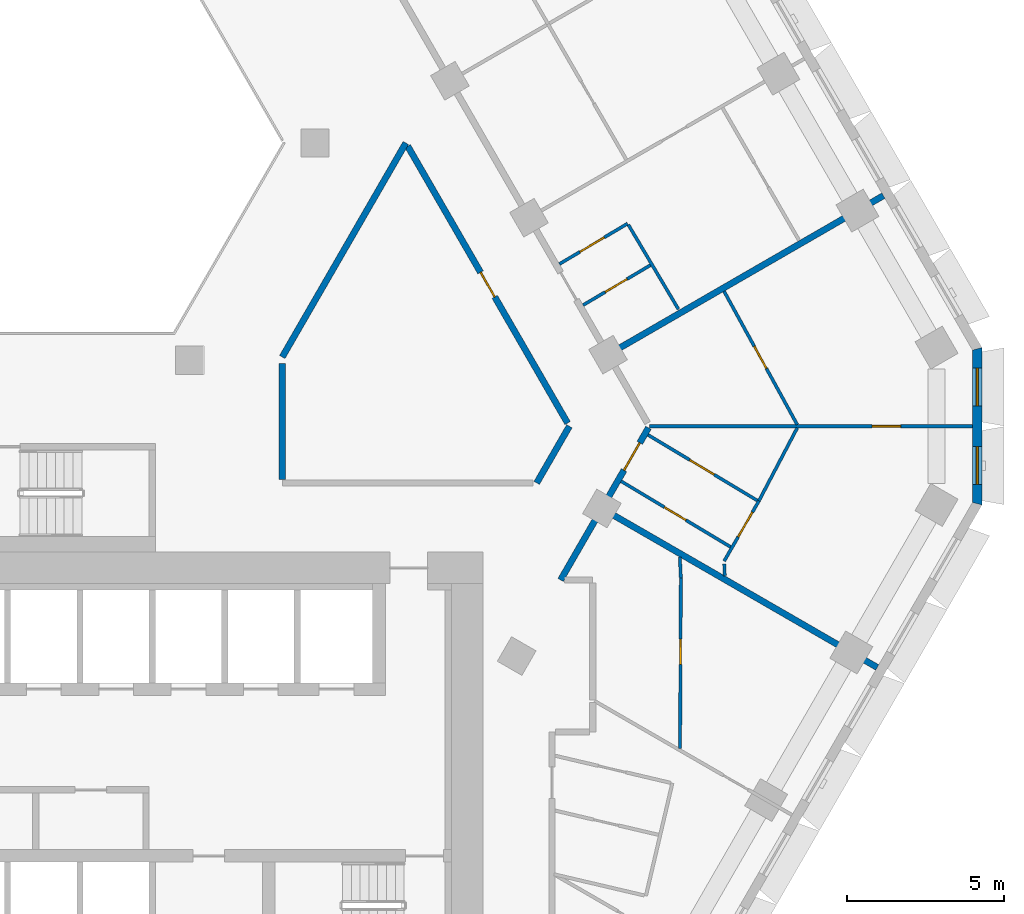
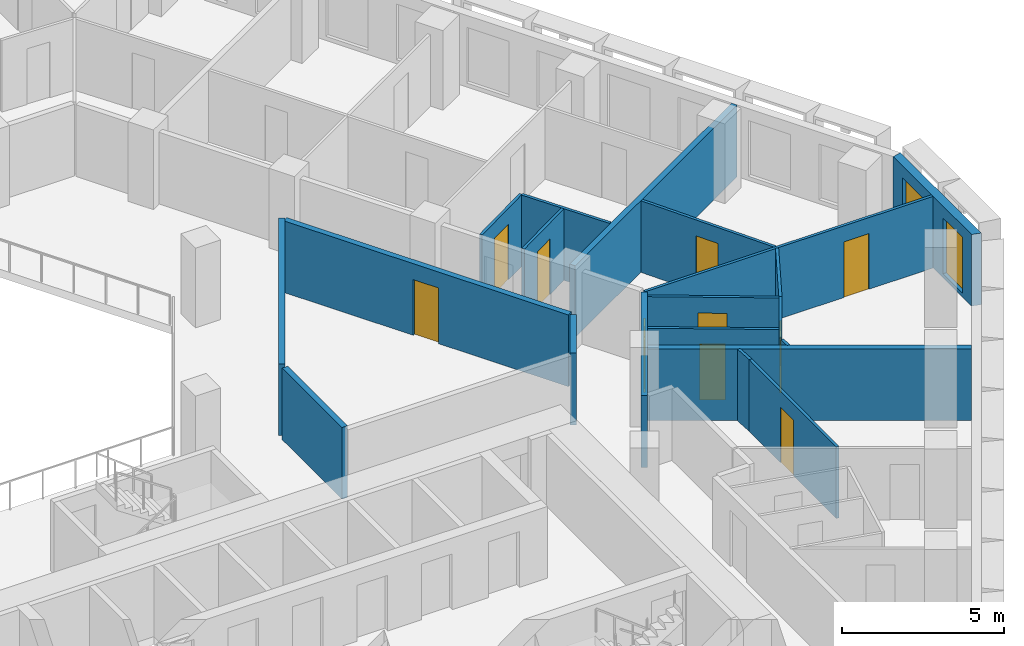
# One storey, part 7 of 18: 20 walls, 10 doors, 2 windows, 12 openings.
"""IFC4 building model written with IfcOpenShell, lengths in metres."""

from ifc_helpers import new_model, si_unit, direction, frame, frame_2d, origin, place, context, subcontext, project, spatial, polyline, rectangle, outline, extrude, material, layer, layer_set, type_object, element, fill, save


model = new_model("IFC4")

# Units and contexts
model_context = context("Model", 3, precision=1e-05, world=origin(), true_north=direction((0.0, 1.0)))
body_context = subcontext(model_context, "Body", "Model", "MODEL_VIEW")
ifc_project = project(units=[si_unit("LENGTHUNIT", "METRE"), si_unit("AREAUNIT", "SQUARE_METRE"), si_unit("VOLUMEUNIT", "CUBIC_METRE"), si_unit("PLANEANGLEUNIT", "RADIAN"), si_unit("MASSUNIT", "GRAM", prefix="KILO")], contexts=[model_context])

# Site, building, storey
site_placement = place(None, origin())
site = spatial("IfcSite", under=ifc_project, at=site_placement, CompositionType="ELEMENT")
building_placement = place(site_placement, origin())
building = spatial("IfcBuilding", under=site, at=building_placement, Name="Beryl Residences", CompositionType="ELEMENT")
storey_placement = place(building_placement, frame((0.0, 0.0, 75.0)))
storey = spatial("IfcBuildingStorey", under=building, at=storey_placement, Name="L22", CompositionType="ELEMENT", Elevation=75.0)

# Wall, openings, windows
ifc_material_1 = material(Name="Composite metal panel with mineral wool insulation")
ifc_layer_1 = layer(ifc_material_1, 0.300048828125)
ifc_layer_set_1 = layer_set([ifc_layer_1], Name="ES1 pale metal composite panel wall 300 mm")
wall_type_1 = type_object("IfcWallType", Name="ES1 pale metal composite panel wall 300 mm", PredefinedType="SOLIDWALL", material=ifc_layer_set_1)
wall_1_placement = place(storey_placement, frame((29.007080078125, -3.5, 0.0), z_axis=(0.0, 0.0, 1.0), x_axis=(0.0, 1.0, 0.0)))
wall_1 = element("IfcWall", 1, at=wall_1_placement, inside=storey, type_object=wall_type_1, Name="ES1 external wall L22 SE-NE", PredefinedType="SOLIDWALL", context=body_context, shape_type="SweptSolid", body=[
    extrude(outline(polyline([(0.0, -0.14990234375), (5.0, -0.14990234375), (4.919677734375, 0.14990234375), (0.080322265625, 0.14990234375), (0.0, -0.14990234375)])), origin(), (0.0, 0.0, 1.0), 2.699951171875),
])
opening_1_placement = place(wall_1_placement, frame((0.64990234375, 0.0, 0.14990234375)))
opening_1 = element("IfcOpeningElement", 2, at=opening_1_placement, cuts=wall_1, Name="Opening W2", PredefinedType="OPENING", context=body_context, shape_type="SweptSolid", body=[
    extrude(rectangle(XDim=1.199951171875, YDim=2.10009765625, at=frame_2d((0.60009765625, 1.050048828125))), frame((0.0, 0.159912109375, 0.0), z_axis=(0.0, -1.0, 0.0), x_axis=(1.0, 0.0, 0.0)), (0.0, 0.0, 1.0), 0.320068359375),
])
opening_2_placement = place(wall_1_placement, frame((3.14990234375, 0.0, 0.14990234375)))
opening_2 = element("IfcOpeningElement", 3, at=opening_2_placement, cuts=wall_1, Name="Opening W2", PredefinedType="OPENING", context=body_context, shape_type="SweptSolid", body=[
    extrude(rectangle(XDim=1.199951171875, YDim=2.10009765625, at=frame_2d((0.60009765625, 1.050048828125))), frame((0.0, 0.159912109375, 0.0), z_axis=(0.0, -1.0, 0.0), x_axis=(1.0, 0.0, 0.0)), (0.0, 0.0, 1.0), 0.320068359375),
])
ifc_material_2 = material(Name="Aluminium and clear glass", Category="aluminium")
window_type = type_object("IfcWindowType", Name="W2 chamfer window 1200 x 2100 mm", PartitioningType="SINGLE_PANEL", PredefinedType="WINDOW", material=ifc_material_2)
window_1_placement = place(opening_1_placement, origin())
window_1 = element("IfcWindow", 4, at=window_1_placement, inside=storey, type_object=window_type, Name="W2 window L22 SE-NE 1", OverallHeight=2.10009765625, OverallWidth=1.199951171875, PartitioningType="SINGLE_PANEL", PredefinedType="WINDOW", context=body_context, shape_type="SweptSolid", body=[
    extrude(rectangle(XDim=1.199951171875, YDim=2.10009765625, at=frame_2d((0.60009765625, 1.050048828125))), frame((0.0, 0.030029296875, 0.0), z_axis=(0.0, -1.0, 0.0), x_axis=(1.0, 0.0, 0.0)), (0.0, 0.0, 1.0), 0.06005859375),
])
fill(opening_1, window_1)
window_2_placement = place(opening_2_placement, origin())
window_2 = element("IfcWindow", 5, at=window_2_placement, inside=storey, type_object=window_type, Name="W2 window L22 SE-NE 2", OverallHeight=2.10009765625, OverallWidth=1.199951171875, PartitioningType="SINGLE_PANEL", PredefinedType="WINDOW", context=body_context, shape_type="SweptSolid", body=[
    extrude(rectangle(XDim=1.199951171875, YDim=2.10009765625, at=frame_2d((0.60009765625, 1.050048828125))), frame((0.0, 0.030029296875, 0.0), z_axis=(0.0, -1.0, 0.0), x_axis=(1.0, 0.0, 0.0)), (0.0, 0.0, 1.0), 0.06005859375),
])
fill(opening_2, window_2)

# Wall
ifc_material_3 = material(Name="Gypsum board partition on steel studs", Category="steel")
ifc_layer_2 = layer(ifc_material_3, 0.10009765625)
ifc_layer_set_2 = layer_set([ifc_layer_2], Name="PT1 partition 100 mm gypsum board on steel studs")
wall_type_2 = type_object("IfcWallType", Name="PT1 partition 100 mm gypsum board on steel studs", PredefinedType="PARTITIONING", material=ifc_layer_set_2)
wall_2_placement = place(storey_placement, frame((17.926025390625, 5.39599609375, 0.0), z_axis=(0.0, 0.0, 1.0), x_axis=(0.510025922017, -0.860159031151, 0.0)))
element("IfcWall", 6, at=wall_2_placement, inside=storey, type_object=wall_type_2, Name="Wall PT1 L22 004", PredefinedType="PARTITIONING", context=body_context, shape_type="SweptSolid", body=[
    extrude(rectangle(XDim=3.11328125, YDim=0.10009765625, at=frame_2d((1.556640625, 0.0))), origin(), (0.0, 0.0, 1.0), 2.699951171875),
])

# Wall, opening, door
wall_3_placement = place(storey_placement, frame((20.964111328125, 3.287109375, 0.0), z_axis=(0.0, 0.0, 1.0), x_axis=(0.4810005962, -0.876720266936, 0.0)))
wall_3 = element("IfcWall", 7, at=wall_3_placement, inside=storey, type_object=wall_type_2, Name="Wall PT1 L22 008", PredefinedType="PARTITIONING", context=body_context, shape_type="SweptSolid", body=[
    extrude(rectangle(XDim=4.82958984375, YDim=0.10009765625, at=frame_2d((2.414794921875, 0.0))), origin(), (0.0, 0.0, 1.0), 2.699951171875),
])
opening_3_placement = place(wall_3_placement, frame((1.9951171875, 0.0, 0.0)))
opening_3 = element("IfcOpeningElement", 8, at=opening_3_placement, cuts=wall_3, Name="Opening D0649", PredefinedType="OPENING", context=body_context, shape_type="SweptSolid", body=[
    extrude(rectangle(XDim=0.800048828125, YDim=2.10009765625, at=frame_2d((0.39990234375, 1.050048828125))), frame((0.0, 0.06005859375, 0.0), z_axis=(0.0, -1.0, 0.0), x_axis=(1.0, 0.0, 0.0)), (0.0, 0.0, 1.0), 0.1201171875),
])
ifc_material_4 = material(Name="Timber door leaf", Category="wood")
door_type_1 = type_object("IfcDoorType", Name="D3 bathroom door 800 x 2100 mm", OperationType="SINGLE_SWING_LEFT", PredefinedType="DOOR", material=ifc_material_4)
door_1_placement = place(opening_3_placement, origin())
door_1 = element("IfcDoor", 9, at=door_1_placement, inside=storey, type_object=door_type_1, Name="Door D0649 L22 001", OperationType="SINGLE_SWING_LEFT", OverallHeight=2.10009765625, OverallWidth=0.800048828125, PredefinedType="DOOR", context=body_context, shape_type="SweptSolid", body=[
    extrude(rectangle(XDim=0.800048828125, YDim=2.10009765625, at=frame_2d((0.39990234375, 1.050048828125))), frame((0.0, 0.02490234375, 0.0), z_axis=(0.0, -1.0, 0.0), x_axis=(1.0, 0.0, 0.0)), (0.0, 0.0, 1.0), 0.050048828125),
])
fill(opening_3, door_1)

# Walls
wall_4_placement = place(storey_placement, frame((19.55810546875, -5.156005859375, 0.0), z_axis=(0.0, 0.0, 1.0), x_axis=(0.04980880462, -0.998758771167, 0.0)))
element("IfcWall", 10, at=wall_4_placement, inside=storey, type_object=wall_type_2, Name="Wall PT1 L22 012", PredefinedType="PARTITIONING", context=body_context, shape_type="SweptSolid", body=[
    extrude(rectangle(XDim=0.66162109375, YDim=0.10009765625, at=frame_2d((0.330810546875, 0.0))), origin(), (0.0, 0.0, 1.0), 2.699951171875),
])
wall_5_placement = place(storey_placement, frame((20.969970703125, -5.3779296875, 0.0), z_axis=(0.0, 0.0, 1.0), x_axis=(0.043266532348, -0.999063565134, 0.0)))
element("IfcWall", 11, at=wall_5_placement, inside=storey, type_object=wall_type_2, Name="Wall PT1 L22 013", PredefinedType="PARTITIONING", context=body_context, shape_type="SweptSolid", body=[
    extrude(rectangle(XDim=0.372314453125, YDim=0.10009765625, at=frame_2d((0.18603515625, 0.0))), origin(), (0.0, 0.0, 1.0), 2.699951171875),
])

# Wall, opening, door
wall_6_placement = place(storey_placement, frame((17.697021484375, -2.748046875, 0.0), z_axis=(0.0, 0.0, 1.0), x_axis=(0.857359945576, -0.514717324093, 0.0)))
wall_6 = element("IfcWall", 12, at=wall_6_placement, inside=storey, type_object=wall_type_2, Name="Wall PT1 L22 030", PredefinedType="PARTITIONING", context=body_context, shape_type="SweptSolid", body=[
    extrude(rectangle(XDim=4.05078125, YDim=0.10009765625, at=frame_2d((2.025390625, 0.0))), origin(), (0.0, 0.0, 1.0), 2.699951171875),
])
opening_4_placement = place(wall_6_placement, frame((1.60009765625, 0.0, 0.0)))
opening_4 = element("IfcOpeningElement", 13, at=opening_4_placement, cuts=wall_6, Name="Opening D0645", PredefinedType="OPENING", context=body_context, shape_type="SweptSolid", body=[
    extrude(rectangle(XDim=0.800048828125, YDim=2.10009765625, at=frame_2d((0.39990234375, 1.050048828125))), frame((0.0, 0.06005859375, 0.0), z_axis=(0.0, -1.0, 0.0), x_axis=(1.0, 0.0, 0.0)), (0.0, 0.0, 1.0), 0.1201171875),
])
door_2_placement = place(opening_4_placement, origin())
door_2 = element("IfcDoor", 14, at=door_2_placement, inside=storey, type_object=door_type_1, Name="Door D0645 L22 001", OperationType="SINGLE_SWING_LEFT", OverallHeight=2.10009765625, OverallWidth=0.800048828125, PredefinedType="DOOR", context=body_context, shape_type="SweptSolid", body=[
    extrude(rectangle(XDim=0.800048828125, YDim=2.10009765625, at=frame_2d((0.39990234375, 1.050048828125))), frame((0.0, 0.02490234375, 0.0), z_axis=(0.0, -1.0, 0.0), x_axis=(1.0, 0.0, 0.0)), (0.0, 0.0, 1.0), 0.050048828125),
])
fill(opening_4, door_2)

wall_7_placement = place(storey_placement, frame((18.547119140625, -1.27490234375, 0.0), z_axis=(0.0, 0.0, 1.0), x_axis=(0.85733334763, -0.514761625456, 0.0)))
wall_7 = element("IfcWall", 15, at=wall_7_placement, inside=storey, type_object=wall_type_2, Name="Wall PT1 L22 031", PredefinedType="PARTITIONING", context=body_context, shape_type="SweptSolid", body=[
    extrude(rectangle(XDim=4.05078125, YDim=0.10009765625, at=frame_2d((2.025390625, 0.0))), origin(), (0.0, 0.0, 1.0), 2.699951171875),
])
opening_5_placement = place(wall_7_placement, frame((1.550048828125, 0.0, 0.0)))
opening_5 = element("IfcOpeningElement", 16, at=opening_5_placement, cuts=wall_7, Name="Opening D0646", PredefinedType="OPENING", context=body_context, shape_type="SweptSolid", body=[
    extrude(rectangle(XDim=0.89990234375, YDim=2.10009765625, at=frame_2d((0.449951171875, 1.050048828125))), frame((0.0, 0.06005859375, 0.0), z_axis=(0.0, -1.0, 0.0), x_axis=(1.0, 0.0, 0.0)), (0.0, 0.0, 1.0), 0.1201171875),
])
ifc_material_5 = material(Name="Timber door leaf", Category="wood")
door_type_2 = type_object("IfcDoorType", Name="D2 room door 900 x 2100 mm", OperationType="SINGLE_SWING_LEFT", PredefinedType="DOOR", material=ifc_material_5)
door_3_placement = place(opening_5_placement, origin())
door_3 = element("IfcDoor", 17, at=door_3_placement, inside=storey, type_object=door_type_2, Name="Door D0646 L22 001", OperationType="SINGLE_SWING_RIGHT", OverallHeight=2.10009765625, OverallWidth=0.89990234375, PredefinedType="DOOR", context=body_context, shape_type="SweptSolid", body=[
    extrude(rectangle(XDim=0.89990234375, YDim=2.10009765625, at=frame_2d((0.449951171875, 1.050048828125))), frame((0.0, 0.02490234375, 0.0), z_axis=(0.0, -1.0, 0.0), x_axis=(1.0, 0.0, 0.0)), (0.0, 0.0, 1.0), 0.050048828125),
])
fill(opening_5, door_3)

wall_8_placement = place(storey_placement, frame((18.591064453125, -0.9990234375, 0.0), z_axis=(0.0, 0.0, 1.0), x_axis=(1.0, 0.0, 0.0)))
wall_8 = element("IfcWall", 18, at=wall_8_placement, inside=storey, type_object=wall_type_2, Name="Wall PT1 L22 033", PredefinedType="PARTITIONING", context=body_context, shape_type="SweptSolid", body=[
    extrude(rectangle(XDim=10.265869140625, YDim=0.10009765625, at=frame_2d((5.1328125, 0.0))), origin(), (0.0, 0.0, 1.0), 2.699951171875),
])
opening_6_placement = place(wall_8_placement, frame((7.0791015625, 0.0, 0.0)))
opening_6 = element("IfcOpeningElement", 19, at=opening_6_placement, cuts=wall_8, Name="Opening D0648", PredefinedType="OPENING", context=body_context, shape_type="SweptSolid", body=[
    extrude(rectangle(XDim=0.89990234375, YDim=2.10009765625, at=frame_2d((0.449951171875, 1.050048828125))), frame((0.0, 0.06005859375, 0.0), z_axis=(0.0, -1.0, 0.0), x_axis=(1.0, 0.0, 0.0)), (0.0, 0.0, 1.0), 0.1201171875),
])
door_4_placement = place(opening_6_placement, origin())
door_4 = element("IfcDoor", 20, at=door_4_placement, inside=storey, type_object=door_type_2, Name="Door D0648 L22 001", OperationType="SINGLE_SWING_RIGHT", OverallHeight=2.10009765625, OverallWidth=0.89990234375, PredefinedType="DOOR", context=body_context, shape_type="SweptSolid", body=[
    extrude(rectangle(XDim=0.89990234375, YDim=2.10009765625, at=frame_2d((0.449951171875, 1.050048828125))), frame((0.0, 0.02490234375, 0.0), z_axis=(0.0, -1.0, 0.0), x_axis=(1.0, 0.0, 0.0)), (0.0, 0.0, 1.0), 0.050048828125),
])
fill(opening_6, door_4)

wall_9_placement = place(storey_placement, frame((20.966064453125, -5.284912109375, 0.0), z_axis=(0.0, 0.0, 1.0), x_axis=(0.500244510215, 0.865884189716, 0.0)))
wall_9 = element("IfcWall", 21, at=wall_9_placement, inside=storey, type_object=wall_type_2, Name="Wall PT1 L22 040", PredefinedType="PARTITIONING", context=body_context, shape_type="SweptSolid", body=[
    extrude(rectangle(XDim=2.212890625, YDim=0.10009765625, at=frame_2d((1.1064453125, 0.0))), origin(), (0.0, 0.0, 1.0), 2.699951171875),
])
opening_7_placement = place(wall_9_placement, frame((0.89306640625, 0.0, 0.0)))
opening_7 = element("IfcOpeningElement", 22, at=opening_7_placement, cuts=wall_9, Name="Opening D0647", PredefinedType="OPENING", context=body_context, shape_type="SweptSolid", body=[
    extrude(rectangle(XDim=0.89990234375, YDim=2.10009765625, at=frame_2d((0.449951171875, 1.050048828125))), frame((0.0, 0.06005859375, 0.0), z_axis=(0.0, -1.0, 0.0), x_axis=(1.0, 0.0, 0.0)), (0.0, 0.0, 1.0), 0.1201171875),
])
door_5_placement = place(opening_7_placement, origin())
door_5 = element("IfcDoor", 23, at=door_5_placement, inside=storey, type_object=door_type_2, Name="Door D0647 L22 001", OperationType="SINGLE_SWING_LEFT", OverallHeight=2.10009765625, OverallWidth=0.89990234375, PredefinedType="DOOR", context=body_context, shape_type="SweptSolid", body=[
    extrude(rectangle(XDim=0.89990234375, YDim=2.10009765625, at=frame_2d((0.449951171875, 1.050048828125))), frame((0.0, 0.02490234375, 0.0), z_axis=(0.0, -1.0, 0.0), x_axis=(1.0, 0.0, 0.0)), (0.0, 0.0, 1.0), 0.050048828125),
])
fill(opening_7, door_5)

# Wall
wall_10_placement = place(storey_placement, frame((22.052978515625, -3.403076171875, 0.0), z_axis=(0.0, 0.0, 1.0), x_axis=(0.465190117005, 0.885210796952, 0.0)))
element("IfcWall", 24, at=wall_10_placement, inside=storey, type_object=wall_type_2, Name="Wall PT1 L22 047", PredefinedType="PARTITIONING", context=body_context, shape_type="SweptSolid", body=[
    extrude(rectangle(XDim=2.6591796875, YDim=0.10009765625, at=frame_2d((1.32958984375, 0.0))), origin(), (0.0, 0.0, 1.0), 2.699951171875),
])

# Wall, opening, door
wall_11_placement = place(storey_placement, frame((19.56591796875, -11.238037109375, 0.0), z_axis=(0.0, 0.0, 1.0), x_axis=(0.004638545009, 0.999989241892, 0.0)))
wall_11 = element("IfcWall", 25, at=wall_11_placement, inside=storey, type_object=wall_type_2, Name="Wall PT1 L22 054", PredefinedType="PARTITIONING", context=body_context, shape_type="SweptSolid", body=[
    extrude(rectangle(XDim=5.421142578125, YDim=0.10009765625, at=frame_2d((2.71044921875, 0.0))), origin(), (0.0, 0.0, 1.0), 2.699951171875),
])
opening_8_placement = place(wall_11_placement, frame((2.672119140625, 0.0, 0.0)))
opening_8 = element("IfcOpeningElement", 26, at=opening_8_placement, cuts=wall_11, Name="Opening D0643", PredefinedType="OPENING", context=body_context, shape_type="SweptSolid", body=[
    extrude(rectangle(XDim=0.800048828125, YDim=2.10009765625, at=frame_2d((0.39990234375, 1.050048828125))), frame((0.0, 0.06005859375, 0.0), z_axis=(0.0, -1.0, 0.0), x_axis=(1.0, 0.0, 0.0)), (0.0, 0.0, 1.0), 0.1201171875),
])
door_6_placement = place(opening_8_placement, origin())
door_6 = element("IfcDoor", 27, at=door_6_placement, inside=storey, type_object=door_type_1, Name="Door D0643 L22 001", OperationType="SINGLE_SWING_LEFT", OverallHeight=2.10009765625, OverallWidth=0.800048828125, PredefinedType="DOOR", context=body_context, shape_type="SweptSolid", body=[
    extrude(rectangle(XDim=0.800048828125, YDim=2.10009765625, at=frame_2d((0.39990234375, 1.050048828125))), frame((0.0, 0.02490234375, 0.0), z_axis=(0.0, -1.0, 0.0), x_axis=(1.0, 0.0, 0.0)), (0.0, 0.0, 1.0), 0.050048828125),
])
fill(opening_8, door_6)

wall_12_placement = place(storey_placement, frame((15.73193359375, 4.153076171875, 0.0), z_axis=(0.0, 0.0, 1.0), x_axis=(0.859987631152, 0.510314877566, 0.0)))
wall_12 = element("IfcWall", 28, at=wall_12_placement, inside=storey, type_object=wall_type_2, Name="Wall PT1 L22 076", PredefinedType="PARTITIONING", context=body_context, shape_type="SweptSolid", body=[
    extrude(rectangle(XDim=2.519775390625, YDim=0.10009765625, at=frame_2d((1.259765625, 0.0))), origin(), (0.0, 0.0, 1.0), 2.699951171875),
])
opening_9_placement = place(wall_12_placement, frame((0.760009765625, 0.0, 0.0)))
opening_9 = element("IfcOpeningElement", 29, at=opening_9_placement, cuts=wall_12, Name="Opening D0651", PredefinedType="OPENING", context=body_context, shape_type="SweptSolid", body=[
    extrude(rectangle(XDim=0.89990234375, YDim=2.10009765625, at=frame_2d((0.449951171875, 1.050048828125))), frame((0.0, 0.06005859375, 0.0), z_axis=(0.0, -1.0, 0.0), x_axis=(1.0, 0.0, 0.0)), (0.0, 0.0, 1.0), 0.1201171875),
])
door_7_placement = place(opening_9_placement, origin())
door_7 = element("IfcDoor", 30, at=door_7_placement, inside=storey, type_object=door_type_2, Name="Door D0651 L22 001", OperationType="SINGLE_SWING_LEFT", OverallHeight=2.10009765625, OverallWidth=0.89990234375, PredefinedType="DOOR", context=body_context, shape_type="SweptSolid", body=[
    extrude(rectangle(XDim=0.89990234375, YDim=2.10009765625, at=frame_2d((0.449951171875, 1.050048828125))), frame((0.0, 0.02490234375, 0.0), z_axis=(0.0, -1.0, 0.0), x_axis=(1.0, 0.0, 0.0)), (0.0, 0.0, 1.0), 0.050048828125),
])
fill(opening_9, door_7)

wall_13_placement = place(storey_placement, frame((16.485107421875, 2.847900390625, 0.0), z_axis=(0.0, 0.0, 1.0), x_axis=(0.860052465539, 0.510205602205, 0.0)))
wall_13 = element("IfcWall", 31, at=wall_13_placement, inside=storey, type_object=wall_type_2, Name="Wall PT1 L22 077", PredefinedType="PARTITIONING", context=body_context, shape_type="SweptSolid", body=[
    extrude(rectangle(XDim=2.4892578125, YDim=0.10009765625, at=frame_2d((1.24462890625, 0.0))), origin(), (0.0, 0.0, 1.0), 2.699951171875),
])
opening_10_placement = place(wall_13_placement, frame((0.819091796875, 0.0, 0.0)))
opening_10 = element("IfcOpeningElement", 32, at=opening_10_placement, cuts=wall_13, Name="Opening D0652", PredefinedType="OPENING", context=body_context, shape_type="SweptSolid", body=[
    extrude(rectangle(XDim=0.800048828125, YDim=2.10009765625, at=frame_2d((0.39990234375, 1.050048828125))), frame((0.0, 0.06005859375, 0.0), z_axis=(0.0, -1.0, 0.0), x_axis=(1.0, 0.0, 0.0)), (0.0, 0.0, 1.0), 0.1201171875),
])
door_8_placement = place(opening_10_placement, origin())
door_8 = element("IfcDoor", 33, at=door_8_placement, inside=storey, type_object=door_type_1, Name="Door D0652 L22 001", OperationType="SINGLE_SWING_RIGHT", OverallHeight=2.10009765625, OverallWidth=0.800048828125, PredefinedType="DOOR", context=body_context, shape_type="SweptSolid", body=[
    extrude(rectangle(XDim=0.800048828125, YDim=2.10009765625, at=frame_2d((0.39990234375, 1.050048828125))), frame((0.0, 0.02490234375, 0.0), z_axis=(0.0, -1.0, 0.0), x_axis=(1.0, 0.0, 0.0)), (0.0, 0.0, 1.0), 0.050048828125),
])
fill(opening_10, door_8)

# Walls
ifc_material_6 = material(Name="Acoustic double stud gypsum board wall")
ifc_layer_3 = layer(ifc_material_6, 0.199951171875)
ifc_layer_set_3 = layer_set([ifc_layer_3], Name="PT3 party wall 200 mm acoustic double stud")
wall_type_3 = type_object("IfcWallType", Name="PT3 party wall 200 mm acoustic double stud", PredefinedType="PARTITIONING", material=ifc_layer_set_3)
wall_14_placement = place(storey_placement, frame((17.1689453125, -3.662109375, 0.0), z_axis=(0.0, 0.0, 1.0), x_axis=(0.866047370643, -0.499961950354, 0.0)))
element("IfcWall", 34, at=wall_14_placement, inside=storey, type_object=wall_type_3, Name="Wall PT3 L22 003", PredefinedType="PARTITIONING", context=body_context, shape_type="SweptSolid", body=[
    extrude(rectangle(XDim=10.000732421875, YDim=0.199951171875, at=frame_2d((5.00048828125, 0.0))), origin(), (0.0, 0.0, 1.0), 2.699951171875),
])
wall_15_placement = place(storey_placement, frame((17.364990234375, 1.324951171875, 0.0), z_axis=(0.0, 0.0, 1.0), x_axis=(0.866016855193, 0.500014806302, 0.0)))
element("IfcWall", 35, at=wall_15_placement, inside=storey, type_object=wall_type_3, Name="Wall PT3 L22 009", PredefinedType="PARTITIONING", context=body_context, shape_type="SweptSolid", body=[
    extrude(rectangle(XDim=9.999755859375, YDim=0.199951171875, at=frame_2d((5.0, 0.0))), origin(), (0.0, 0.0, 1.0), 2.699951171875),
])

# Wall, opening, door
ifc_material_7 = material(Name="Double stud gypsum board wall")
ifc_layer_4 = layer(ifc_material_7, 0.199951171875)
ifc_layer_set_4 = layer_set([ifc_layer_4], Name="PT4 corridor wall 200 mm double stud")
wall_type_4 = type_object("IfcWallType", Name="PT4 corridor wall 200 mm double stud", PredefinedType="PARTITIONING", material=ifc_layer_set_4)
wall_16_placement = place(storey_placement, frame((10.9130859375, 7.89892578125, 0.0), z_axis=(0.0, 0.0, 1.0), x_axis=(0.500028940566, -0.866008694296, 0.0)))
wall_16 = element("IfcWall", 36, at=wall_16_placement, inside=storey, type_object=wall_type_4, Name="Wall PT4 L22 005", PredefinedType="PARTITIONING", context=body_context, shape_type="SweptSolid", body=[
    extrude(rectangle(XDim=10.1591796875, YDim=0.199951171875, at=frame_2d((5.07958984375, 0.0))), origin(), (0.0, 0.0, 1.0), 2.699951171875),
])
opening_11_placement = place(wall_16_placement, frame((4.6298828125, 0.0, 0.0)))
opening_11 = element("IfcOpeningElement", 37, at=opening_11_placement, cuts=wall_16, Name="Opening D0667", PredefinedType="OPENING", context=body_context, shape_type="SweptSolid", body=[
    extrude(rectangle(XDim=0.89990234375, YDim=2.10009765625, at=frame_2d((0.449951171875, 1.050048828125))), frame((0.0, 0.10986328125, 0.0), z_axis=(0.0, -1.0, 0.0), x_axis=(1.0, 0.0, 0.0)), (0.0, 0.0, 1.0), 0.219970703125),
])
door_9_placement = place(opening_11_placement, origin())
door_9 = element("IfcDoor", 38, at=door_9_placement, inside=storey, type_object=door_type_2, Name="Door D0667 L22 001", OperationType="SINGLE_SWING_LEFT", OverallHeight=2.10009765625, OverallWidth=0.89990234375, PredefinedType="DOOR", context=body_context, shape_type="SweptSolid", body=[
    extrude(rectangle(XDim=0.89990234375, YDim=2.10009765625, at=frame_2d((0.449951171875, 1.050048828125))), frame((0.0, 0.02490234375, 0.0), z_axis=(0.0, -1.0, 0.0), x_axis=(1.0, 0.0, 0.0)), (0.0, 0.0, 1.0), 0.050048828125),
])
fill(opening_11, door_9)

# Walls
wall_17_placement = place(storey_placement, frame((6.927978515625, 1.0, 0.0), z_axis=(0.0, 0.0, 1.0), x_axis=(0.0, -1.0, 0.0)))
element("IfcWall", 39, at=wall_17_placement, inside=storey, type_object=wall_type_4, Name="Wall PT4 L22 009", PredefinedType="PARTITIONING", context=body_context, shape_type="SweptSolid", body=[
    extrude(rectangle(XDim=3.698974609375, YDim=0.199951171875, at=frame_2d((1.849609375, 0.0))), origin(), (0.0, 0.0, 1.0), 2.699951171875),
])
wall_18_placement = place(storey_placement, frame((6.927978515625, 1.199951171875, 0.0), z_axis=(0.0, 0.0, 1.0), x_axis=(0.500055327065, 0.865993458332, 0.0)))
element("IfcWall", 40, at=wall_18_placement, inside=storey, type_object=wall_type_4, Name="Wall PT4 L22 023", PredefinedType="PARTITIONING", context=body_context, shape_type="SweptSolid", body=[
    extrude(rectangle(XDim=7.85107421875, YDim=0.199951171875, at=frame_2d((3.925537109375, 0.0))), origin(), (0.0, 0.0, 1.0), 2.699951171875),
])
wall_19_placement = place(storey_placement, frame((15.010986328125, -2.800048828125, 0.0), z_axis=(0.0, 0.0, 1.0), x_axis=(0.499929208183, 0.866066271601, 0.0)))
element("IfcWall", 41, at=wall_19_placement, inside=storey, type_object=wall_type_4, Name="Wall PT4 L22 024", PredefinedType="PARTITIONING", context=body_context, shape_type="SweptSolid", body=[
    extrude(rectangle(XDim=2.078369140625, YDim=0.199951171875, at=frame_2d((1.0390625, 0.0))), origin(), (0.0, 0.0, 1.0), 2.699951171875),
])

# Wall, opening, door
wall_20_placement = place(storey_placement, frame((15.77099609375, -5.884033203125, 0.0), z_axis=(0.0, 0.0, 1.0), x_axis=(0.499939494019, 0.866060334111, 0.0)))
wall_20 = element("IfcWall", 42, at=wall_20_placement, inside=storey, type_object=wall_type_4, Name="Wall PT4 L22 025", PredefinedType="PARTITIONING", context=body_context, shape_type="SweptSolid", body=[
    extrude(rectangle(XDim=5.582763671875, YDim=0.199951171875, at=frame_2d((2.79150390625, 0.0))), origin(), (0.0, 0.0, 1.0), 2.699951171875),
])
opening_12_placement = place(wall_20_placement, frame((4.030029296875, 0.0, 0.0)))
opening_12 = element("IfcOpeningElement", 43, at=opening_12_placement, cuts=wall_20, Name="Opening D0644", PredefinedType="OPENING", context=body_context, shape_type="SweptSolid", body=[
    extrude(rectangle(XDim=1.0, YDim=2.10009765625, at=frame_2d((0.5, 1.050048828125))), frame((0.0, 0.10986328125, 0.0), z_axis=(0.0, -1.0, 0.0), x_axis=(1.0, 0.0, 0.0)), (0.0, 0.0, 1.0), 0.219970703125),
])
ifc_material_8 = material(Name="Timber door leaf", Category="wood")
door_type_3 = type_object("IfcDoorType", Name="D1 flat entrance door 1000 x 2100 mm", OperationType="SINGLE_SWING_LEFT", PredefinedType="DOOR", material=ifc_material_8)
door_10_placement = place(opening_12_placement, origin())
door_10 = element("IfcDoor", 44, at=door_10_placement, inside=storey, type_object=door_type_3, Name="Door D0644 L22 001", OperationType="SINGLE_SWING_RIGHT", OverallHeight=2.10009765625, OverallWidth=1.0, PredefinedType="DOOR", context=body_context, shape_type="SweptSolid", body=[
    extrude(rectangle(XDim=1.0, YDim=2.10009765625, at=frame_2d((0.5, 1.050048828125))), frame((0.0, 0.02490234375, 0.0), z_axis=(0.0, -1.0, 0.0), x_axis=(1.0, 0.0, 0.0)), (0.0, 0.0, 1.0), 0.050048828125),
])
fill(opening_12, door_10)

save(model, "model.ifc")
